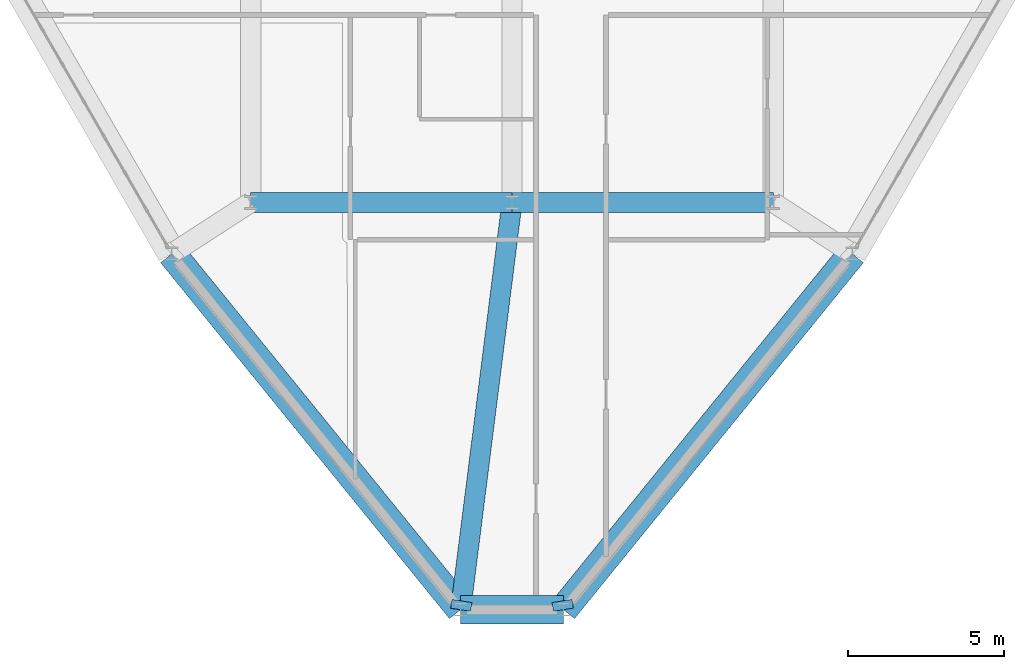
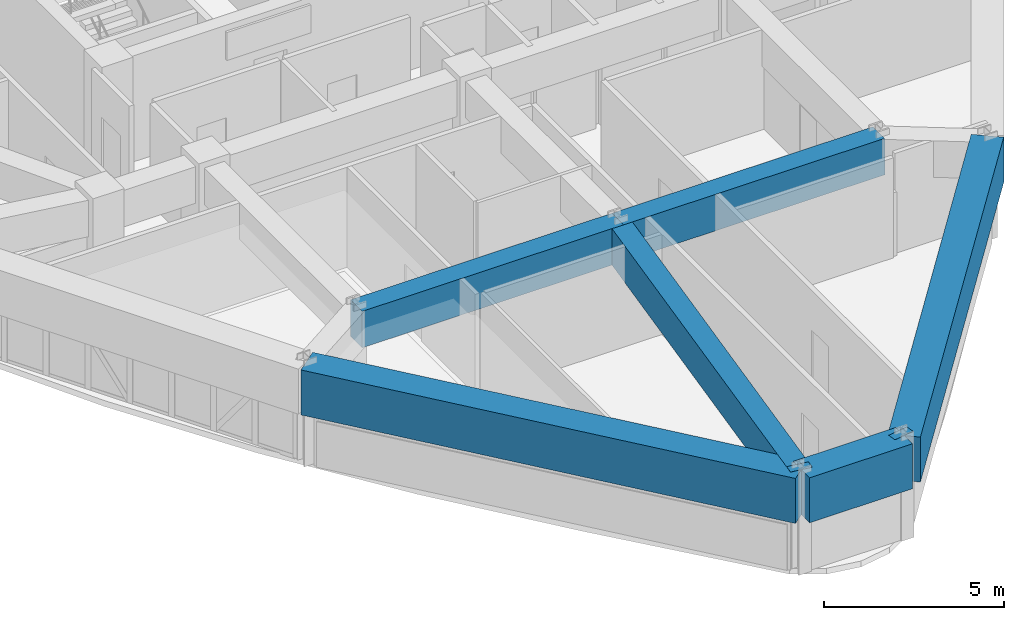
# One storey, part 3 of 14: 8 beams.
"""IFC4 building model written with IfcOpenShell, lengths in metres."""

import ifcopenshell
import ifcopenshell.guid

model = None  # the IFC model being written
_history = None  # IfcOwnerHistory: only IFC2X3 demands one
_inside = {}  # id of a spatial element -> (the spatial element, [elements in it])
_under = {}  # id of a project, library or spatial element -> (it, [spatial elements below it])
_declared = {}  # id of a project -> (the project, [libraries it declares])
_typed = {}  # id of a type object -> (the type object, [elements of that type])
_made_of = {}  # id of a material, layer set ... -> (it, [elements and type objects made of it])


def new_model(schema):
    """Start an empty IFC model of exactly this schema.

    Asked for "IFC4X3", IfcOpenShell would pick the latest addendum, in which some entities
    have other attributes; the version numbers below select the first issue.
    IFC2X3 requires an IfcOwnerHistory on every rooted entity: one is made here for all.
    """
    global model, _history
    if schema == "IFC4X3":
        model = ifcopenshell.file(schema_version=(4, 3, 0, 0))
    else:
        model = ifcopenshell.file(schema=schema)
    _inside.clear()
    _under.clear()
    _declared.clear()
    _typed.clear()
    _made_of.clear()
    _history = None
    if model.schema == "IFC2X3":
        org = make("IfcOrganization", Name="unknown")
        user = make(
            "IfcPersonAndOrganization",
            ThePerson=make("IfcPerson", FamilyName="unknown"),
            TheOrganization=org,
        )
        app = make(
            "IfcApplication",
            ApplicationDeveloper=org,
            Version="unknown",
            ApplicationFullName="unknown",
            ApplicationIdentifier="unknown",
        )
        _history = make(
            "IfcOwnerHistory",
            OwningUser=user,
            OwningApplication=app,
            ChangeAction="ADDED",
            CreationDate=0,
        )
    return model


def make(cls, **values):
    """One entity of the class cls with the attributes given. An attribute that is None is left unset."""
    return model.create_entity(
        cls, **{name: value for name, value in values.items() if value is not None}
    )


def rooted(cls, **values):
    """An entity with a GlobalId (a new one), such as an element, a storey or a relation."""
    return make(cls, GlobalId=ifcopenshell.guid.new(), OwnerHistory=_history, **values)


def si_unit(unit_type, name, prefix=None):
    """IfcSIUnit, for example si_unit("LENGTHUNIT", "METRE", prefix="MILLI")."""
    return make("IfcSIUnit", UnitType=unit_type, Prefix=prefix, Name=name)


def derived_unit(unit_type, elements):
    """IfcDerivedUnit: a product of units, each with its exponent."""
    return make(
        "IfcDerivedUnit",
        Elements=[
            make("IfcDerivedUnitElement", Unit=unit, Exponent=power)
            for unit, power in elements
        ],
        UnitType=unit_type,
    )


def assignment(units):
    """IfcUnitAssignment: the units of a project."""
    return None if units is None else make("IfcUnitAssignment", Units=units)


def point(xyz):
    """IfcCartesianPoint."""
    return None if xyz is None else make("IfcCartesianPoint", Coordinates=xyz)


def direction(xyz):
    """IfcDirection."""
    return None if xyz is None else make("IfcDirection", DirectionRatios=xyz)


def frame(location, z_axis=None, x_axis=None):
    """IfcAxis2Placement3D, a coordinate frame: its origin and axes. An axis left out is left unset."""
    return make(
        "IfcAxis2Placement3D",
        Location=point(location),
        Axis=direction(z_axis),
        RefDirection=direction(x_axis),
    )


def frame_2d(location, x_axis=None):
    """IfcAxis2Placement2D, a coordinate frame in the plane: its origin and x axis."""
    return make(
        "IfcAxis2Placement2D", Location=point(location), RefDirection=direction(x_axis)
    )


def origin():
    """The frame at (0, 0, 0) with its axes left unset."""
    return frame((0.0, 0.0, 0.0))


def origin_2d():
    """The frame at (0, 0) in the plane with its x axis left unset."""
    return frame_2d((0.0, 0.0))


def place(relative_to, where):
    """IfcLocalPlacement: puts the frame where relative to a parent placement (None: the world)."""
    return make(
        "IfcLocalPlacement", PlacementRelTo=relative_to, RelativePlacement=where
    )


def context(
    kind, dimensions, precision=None, world=None, true_north=None, identifier=None
):
    """IfcGeometricRepresentationContext, for example the 3D "Model" context."""
    return make(
        "IfcGeometricRepresentationContext",
        ContextIdentifier=identifier,
        ContextType=kind,
        CoordinateSpaceDimension=dimensions,
        Precision=precision,
        WorldCoordinateSystem=world,
        TrueNorth=true_north,
    )


def subcontext(parent, identifier, kind, view, scale=None):
    """IfcGeometricRepresentationSubContext, for example "Body" below "Model"."""
    return make(
        "IfcGeometricRepresentationSubContext",
        ContextIdentifier=identifier,
        ContextType=kind,
        ParentContext=parent,
        TargetScale=scale,
        TargetView=view,
    )


def project(units=None, contexts=None):
    """IfcProject with its units and contexts."""
    return rooted(
        "IfcProject",
        Name="project",
        RepresentationContexts=contexts,
        UnitsInContext=assignment(units),
    )


def spatial(cls, under=None, at=None, **own):
    """A site, building, storey or space (cls), placed at a placement, below another one or the project."""
    s = rooted(cls, ObjectPlacement=at, **own)
    if under is not None:
        _under.setdefault(under.id(), (under, []))[1].append(s)
    return s


def profile(cls, at=None, kind="AREA", **sizes):
    """A parametric profile (cls). Its sizes go by their IFC names, for example OverallWidth=200.0."""
    return make(cls, ProfileType=kind, Position=at, **sizes)


def rectangle(**sizes):
    """IfcRectangleProfileDef."""
    return profile("IfcRectangleProfileDef", **sizes)


def extrude(swept, where, along, depth):
    """IfcExtrudedAreaSolid: the profile swept, set in the frame where, extruded along a direction by depth."""
    return make(
        "IfcExtrudedAreaSolid",
        SweptArea=swept,
        Position=where,
        ExtrudedDirection=direction(along),
        Depth=depth,
    )


def shape(context_of_items, identifier, shape_type, items):
    """IfcShapeRepresentation: the items that make up one representation, for example the "Body"."""
    return make(
        "IfcShapeRepresentation",
        ContextOfItems=context_of_items,
        RepresentationIdentifier=identifier,
        RepresentationType=shape_type,
        Items=items,
    )


def source(mapping_origin, context_of_items, identifier, shape_type, items):
    """IfcRepresentationMap: a shape defined once, which mapped items show again and again."""
    return make(
        "IfcRepresentationMap",
        MappingOrigin=mapping_origin,
        MappedRepresentation=shape(context_of_items, identifier, shape_type, items),
    )


def transform(
    local_origin,
    x_axis=None,
    y_axis=None,
    z_axis=None,
    scale=None,
    scale2=None,
    scale3=None,
    uniform=True,
):
    """IfcCartesianTransformationOperator3D, or its non-uniform kind. x_axis, y_axis, z_axis: its Axis1, 2, 3."""
    if uniform:
        return make(
            "IfcCartesianTransformationOperator3D",
            Axis1=direction(x_axis),
            Axis2=direction(y_axis),
            LocalOrigin=point(local_origin),
            Scale=scale,
            Axis3=direction(z_axis),
        )
    return make(
        "IfcCartesianTransformationOperator3DnonUniform",
        Axis1=direction(x_axis),
        Axis2=direction(y_axis),
        LocalOrigin=point(local_origin),
        Scale=scale,
        Axis3=direction(z_axis),
        Scale2=scale2,
        Scale3=scale3,
    )


def mapped(mapping_source, mapping_target):
    """IfcMappedItem: shows the shape of a source again, moved by a transform."""
    return make(
        "IfcMappedItem", MappingSource=mapping_source, MappingTarget=mapping_target
    )


def material(Name=None, Category=None):
    """IfcMaterial."""
    return make("IfcMaterial", Name=Name, Category=Category)


def material_profile(
    of_material, cross_section, Name=None, Category=None, Priority=None
):
    """IfcMaterialProfile: a cross section and its material."""
    return make(
        "IfcMaterialProfile",
        Name=Name,
        Material=of_material,
        Profile=cross_section,
        Priority=Priority,
        Category=Category,
    )


def profile_set(profiles, Name=None, composite=None):
    """IfcMaterialProfileSet."""
    return make(
        "IfcMaterialProfileSet",
        Name=Name,
        MaterialProfiles=profiles,
        CompositeProfile=composite,
    )


def made_of(thing, what):
    """Note that an element or type object is made of a material, layer set ...; save() writes the relation."""
    if what is not None:
        _made_of.setdefault(what.id(), (what, []))[1].append(thing)
    return thing


def type_object(cls, material=None, **own):
    """A type object (cls), such as IfcWallType, which elements share."""
    return made_of(rooted(cls, **own), material)


def element(
    cls,
    number,
    at=None,
    inside=None,
    cuts=None,
    type_object=None,
    material=None,
    context=None,
    identifier="Body",
    shape_type=None,
    held_by="IfcProductDefinitionShape",
    body=None,
    shapes=None,
    **own,
):
    """One element of the class cls, such as IfcWall. Its Tag is "e" and its number.

    at: its placement. inside: the storey or other place that contains it. cuts: it is an
    opening in that element (IfcRelVoidsElement). A single representation is given by context,
    identifier, shape_type and body (its items); several are given by shapes. held_by: the class
    of the entity that holds the representations. save() writes the other relations.
    """
    e = rooted(cls, Tag="e%d" % number, ObjectPlacement=at, **own)
    if body is not None:
        shapes = [shape(context, identifier, shape_type, body)]
    if shapes is not None:
        e.Representation = make(held_by, Representations=shapes)
    if inside is not None:
        _inside.setdefault(inside.id(), (inside, []))[1].append(e)
    if cuts is not None:
        rooted(
            "IfcRelVoidsElement", RelatingBuildingElement=cuts, RelatedOpeningElement=e
        )
    if type_object is not None:
        _typed.setdefault(type_object.id(), (type_object, []))[1].append(e)
    return made_of(e, material)


def aggregate(whole, parts):
    """IfcRelAggregates: a whole, such as a stair, and the parts it consists of."""
    return rooted("IfcRelAggregates", RelatingObject=whole, RelatedObjects=parts)


def save(model, path):
    """Write the relations noted so far, then the file.

    IfcRelAggregates (storeys below a building ...), IfcRelContainedInSpatialStructure (elements
    in a storey), IfcRelDefinesByType, IfcRelAssociatesMaterial and IfcRelDeclares: one each for
    every whole, place, type object, material and project.
    """
    for whole, parts in _under.values():
        aggregate(whole, parts)
    for where, things in _inside.values():
        rooted(
            "IfcRelContainedInSpatialStructure",
            RelatedElements=things,
            RelatingStructure=where,
        )
    for kind, things in _typed.values():
        rooted("IfcRelDefinesByType", RelatedObjects=things, RelatingType=kind)
    for what, things in _made_of.values():
        rooted("IfcRelAssociatesMaterial", RelatedObjects=things, RelatingMaterial=what)
    for by, libraries in _declared.values():
        rooted("IfcRelDeclares", RelatingContext=by, RelatedDefinitions=libraries)
    model.write(path)


model = new_model("IFC4")

# Units and contexts
model_context = context("Model", 3, precision=1e-05, world=origin(), true_north=direction((0.0, 1.0)))
body_context = subcontext(model_context, "Body", "Model", "MODEL_VIEW")
ifc_project = project(units=[si_unit("LENGTHUNIT", "METRE"), si_unit("AREAUNIT", "SQUARE_METRE"), si_unit("VOLUMEUNIT", "CUBIC_METRE"), si_unit("PLANEANGLEUNIT", "RADIAN"), si_unit("MASSUNIT", "GRAM", prefix="KILO"), derived_unit("THERMALTRANSMITTANCEUNIT", [(si_unit("POWERUNIT", "WATT"), 1), (si_unit("LENGTHUNIT", "METRE"), -2), (si_unit("THERMODYNAMICTEMPERATUREUNIT", "KELVIN"), -1)])], contexts=[model_context])

# Site, building, storey
site_placement = place(None, origin())
site = spatial("IfcSite", under=ifc_project, at=site_placement, CompositionType="ELEMENT")
building_placement = place(site_placement, origin())
building = spatial("IfcBuilding", under=site, at=building_placement, Name="Korsvarv Bourse and Concert Hall", CompositionType="ELEMENT")
storey_placement = place(building_placement, frame((0.0, 0.0, 175.800048828125)))
storey = spatial("IfcBuildingStorey", under=building, at=storey_placement, Name="L45", CompositionType="ELEMENT", Elevation=175.800048828125)

# Beams
ifc_material = material(Name="Concrete C50/60", Category="concrete")
ifc_material_profile_1 = material_profile(ifc_material, rectangle(XDim=0.64990234375, YDim=1.239990234375, at=origin_2d()), Name="RC-BM 650x1240")
ifc_profile_set_1 = profile_set([ifc_material_profile_1], Name="Concrete C50/60")
beam_type_1 = type_object("IfcBeamType", Name="BM-TR-SPN", PredefinedType="BEAM", material=ifc_profile_set_1)
shared_shape_1 = source(origin(), body_context, "Body", "SweptSolid", [
    extrude(rectangle(XDim=0.64990234375, YDim=1.239990234375, at=origin_2d()), origin(), (0.0, 0.0, 1.0), 8.39990234375),
])
for number, where, z_axis, x_axis, name in (
    (1, (27.60009765625, 24.0, 2.780029296875), (1.0, 0.0, 0.0), (0.0, 1.0, 0.0), "L45 beam B-TRS"),
    (2, (36.0, 24.0, 2.780029296875), (1.0, 0.0, 0.0), (0.0, 1.0, 0.0), "L45 beam B-TRS"),
):
    element("IfcBeam", number, at=place(storey_placement, frame(where, z_axis=z_axis, x_axis=x_axis)), inside=storey, type_object=beam_type_1, Name=name, PredefinedType="BEAM", context=body_context, shape_type="MappedRepresentation", body=[
        mapped(shared_shape_1, transform((0.0, 0.0, 0.0), scale=1.0)),
    ])
ifc_material_profile_2 = material_profile(ifc_material, rectangle(XDim=0.919921875, YDim=1.530029296875, at=origin_2d()), Name="RC-BM 920x1530")
ifc_profile_set_2 = profile_set([ifc_material_profile_2], Name="Concrete C50/60")
beam_type_2 = type_object("IfcBeamType", Name="BM-TR-154", PredefinedType="BEAM", material=ifc_profile_set_2)
shared_shape_2 = source(origin(), body_context, "Body", "SweptSolid", [
    extrude(rectangle(XDim=0.919921875, YDim=1.530029296875, at=origin_2d()), origin(), (0.0, 0.0, 1.0), 3.30322265625),
])
beam_1_placement = place(storey_placement, frame((34.348388671875, 10.91064453125, 2.635009765625), z_axis=(1.0, 0.0, 0.0), x_axis=(0.0, 1.0, 0.0)))
element("IfcBeam", 3, at=beam_1_placement, inside=storey, type_object=beam_type_2, Name="L45 beam B-TR6", PredefinedType="BEAM", context=body_context, shape_type="MappedRepresentation", body=[
    mapped(shared_shape_2, transform((0.0, 0.0, 0.0), scale=1.0)),
])
shared_shape_3 = source(origin(), body_context, "Body", "SweptSolid", [
    extrude(rectangle(XDim=0.919921875, YDim=1.530029296875, at=origin_2d()), origin(), (0.0, 0.0, 1.0), 14.739990234375),
])
for number, where, z_axis, x_axis, name in (
    (4, (25.060302734375, 22.356201171875, 2.635009765625), (0.630125471289, -0.77649332929, 0.0), (0.77649332929, 0.630125471289, 0.0), "L45 beam B-TR6"),
    (5, (37.651611328125, 10.91064453125, 2.635009765625), (0.630125471289, 0.77649332929, 0.0), (-0.77649332929, 0.630125471289, 0.0), "L45 beam B-TR6"),
):
    element("IfcBeam", number, at=place(storey_placement, frame(where, z_axis=z_axis, x_axis=x_axis)), inside=storey, type_object=beam_type_2, Name=name, PredefinedType="BEAM", context=body_context, shape_type="MappedRepresentation", body=[
        mapped(shared_shape_3, transform((0.0, 0.0, 0.0), scale=1.0)),
    ])
shared_shape_4 = source(origin(), body_context, "Body", "SweptSolid", [
    extrude(rectangle(XDim=0.64990234375, YDim=1.239990234375, at=origin_2d()), origin(), (0.0, 0.0, 1.0), 13.193115234375),
])
beam_2_placement = place(storey_placement, frame((34.348388671875, 10.91064453125, 2.780029296875), z_axis=(0.125187092462, 0.992133152294, 0.0), x_axis=(-0.992133152294, 0.125187092462, 0.0)))
element("IfcBeam", 6, at=beam_2_placement, inside=storey, type_object=beam_type_1, Name="L45 beam B-TRS", PredefinedType="BEAM", context=body_context, shape_type="MappedRepresentation", body=[
    mapped(shared_shape_4, transform((0.0, 0.0, 0.0), scale=1.0)),
])
shared_shape_5 = source(origin(), body_context, "Body", "SweptSolid", [
    extrude(rectangle(XDim=0.64990234375, YDim=1.239990234375, at=origin_2d()), origin(), (0.0, 0.0, 1.0), 0.2822265625),
])
for number, where, z_axis, x_axis, name in (
    (7, (34.348388671875, 10.91064453125, 2.780029296875), (0.155696061025, 0.987805009393, 0.0), (-0.987805009393, 0.155696061025, 0.0), "L45 beam B-TRS"),
    (8, (37.651611328125, 10.91064453125, 2.780029296875), (-0.155696061025, 0.987805009393, 0.0), (-0.987805009393, -0.155696061025, 0.0), "L45 beam B-TRS"),
):
    element("IfcBeam", number, at=place(storey_placement, frame(where, z_axis=z_axis, x_axis=x_axis)), inside=storey, type_object=beam_type_1, Name=name, PredefinedType="BEAM", context=body_context, shape_type="MappedRepresentation", body=[
        mapped(shared_shape_5, transform((0.0, 0.0, 0.0), scale=1.0)),
    ])

save(model, "model.ifc")
